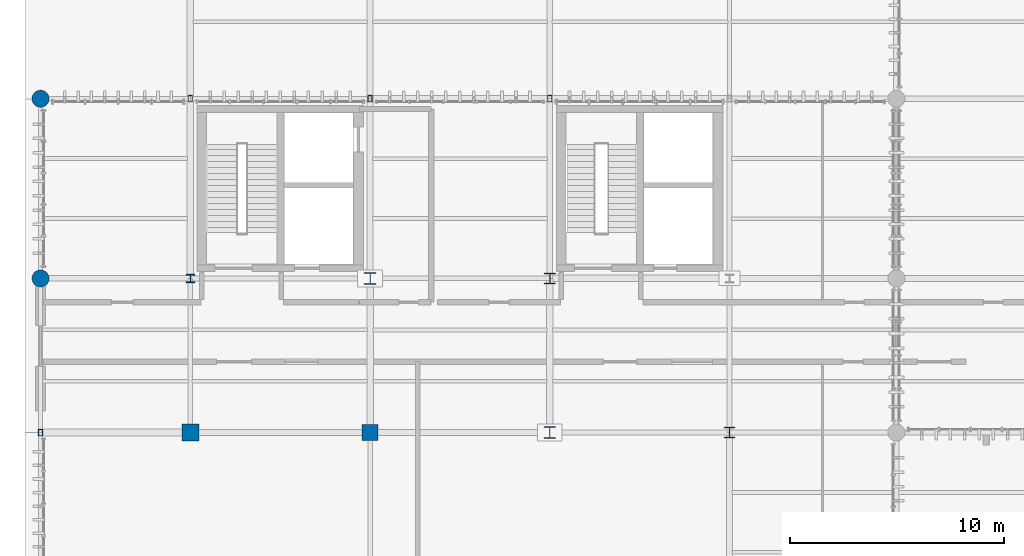
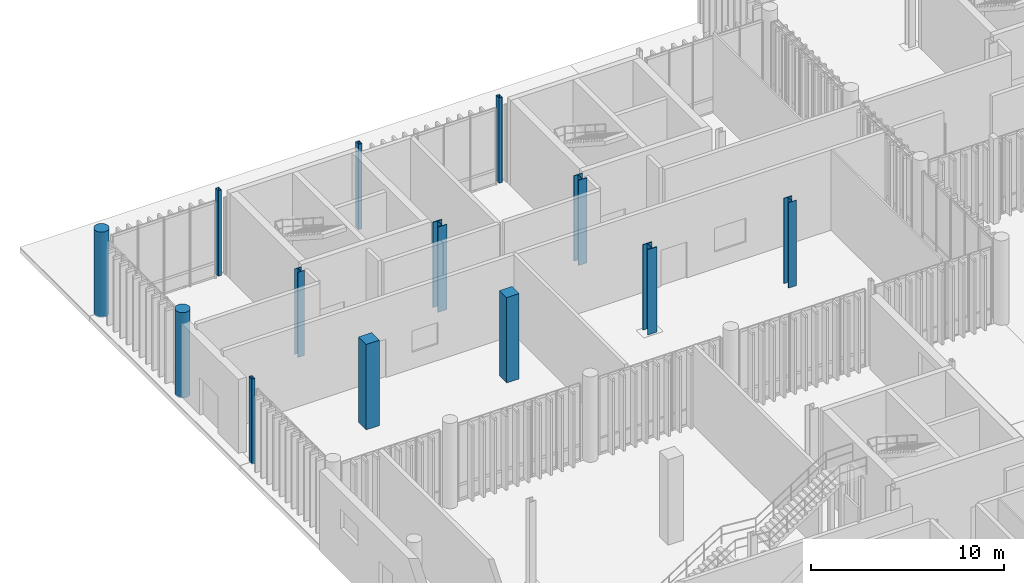
# One storey, part 4 of 112: 13 columns.
"""IFC4 building model written with IfcOpenShell, lengths in metres."""

from ifc_helpers import new_model, si_unit, direction, frame, origin_with_axes, origin_2d_with_axis, place, context, subcontext, project, spatial, rectangle, hollow_rectangle, circle, i_section, extrude, material, material_profile, profile_set, type_object, element, save


model = new_model("IFC4")

# Units and contexts
model_context = context("Model", 3, precision=1e-05, world=origin_with_axes(), true_north=direction((0.0, 1.0)))
body_context = subcontext(model_context, "Body", "Model", "MODEL_VIEW")
ifc_project = project(units=[si_unit("LENGTHUNIT", "METRE"), si_unit("AREAUNIT", "SQUARE_METRE"), si_unit("VOLUMEUNIT", "CUBIC_METRE"), si_unit("PLANEANGLEUNIT", "RADIAN"), si_unit("MASSUNIT", "GRAM", prefix="KILO"), si_unit("THERMODYNAMICTEMPERATUREUNIT", "KELVIN")], contexts=[model_context])

# Site, building, storey
site_placement = place(None, origin_with_axes())
site = spatial("IfcSite", under=ifc_project, at=site_placement, CompositionType="ELEMENT")
building_placement = place(site_placement, origin_with_axes())
building = spatial("IfcBuilding", under=site, at=building_placement, Name="Montbau Bow Law Courts", CompositionType="ELEMENT")
storey_placement = place(building_placement, origin_with_axes())
storey = spatial("IfcBuildingStorey", under=building, at=storey_placement, Name="L00", CompositionType="ELEMENT", Elevation=0.0)

# Columns
ifc_material_1 = material(Name="Steel CSA G40.21 Grade 350WT (350 MPa)", Category="steel")
ifc_material_profile_1 = material_profile(ifc_material_1, hollow_rectangle(XDim=0.203, YDim=0.305, WallThickness=0.0127, InnerFilletRadius=0.0254, OuterFilletRadius=0.0127, at=origin_2d_with_axis()), Name="HSS305X203X13", Category="Main", Priority=0)
ifc_profile_set_1 = profile_set([ifc_material_profile_1], Name="Steel CSA G40.21 Grade 350WT (350 MPa)")
column_type_1 = type_object("IfcColumnType", Name="C-HSS-03", PredefinedType="COLUMN", material=ifc_profile_set_1)
for number, where, z_axis, x_axis, name in (
    (1, (6.8, 39.0, 0.0), (0.0, 0.0, 1.0), (1.0, 0.0, 0.0), "C-L00-S0189:col2_0189"),
    (2, (13.8, 54.6, 0.0), (0.0, 0.0, 1.0), (1.0, 0.0, 0.0), "C-L00-S0198:col2_0198"),
    (3, (22.2, 54.6, 0.0), (0.0, 0.0, 1.0), (1.0, 0.0, 0.0), "C-L00-S0205:col2_0205"),
    (4, (30.6, 54.6, 0.0), (0.0, 0.0, 1.0), (1.0, 0.0, 0.0), "C-L00-S0212:col2_0212"),
):
    element("IfcColumn", number, at=place(None, frame(where, z_axis=z_axis, x_axis=x_axis)), inside=storey, type_object=column_type_1, Name=name, PredefinedType="COLUMN", context=body_context, shape_type="SweptSolid", body=[
        extrude(hollow_rectangle(XDim=0.203, YDim=0.305, WallThickness=0.0127, InnerFilletRadius=0.0254, OuterFilletRadius=0.0127, at=origin_2d_with_axis()), origin_with_axes(), (0.0, 0.0, 1.0), 5.4),
    ])
ifc_material_2 = material(Name="Concrete CSA A23.1 f'c 45 MPa", Category="concrete")
ifc_material_profile_2 = material_profile(ifc_material_2, rectangle(XDim=0.8, YDim=0.8, at=origin_2d_with_axis()), Name="RC800X800", Category="Main", Priority=0)
ifc_profile_set_2 = profile_set([ifc_material_profile_2], Name="Concrete CSA A23.1 f'c 45 MPa")
column_type_2 = type_object("IfcColumnType", Name="C-RC-02", PredefinedType="COLUMN", material=ifc_profile_set_2)
column_1_placement = place(None, frame((13.8, 39.0, 0.0), z_axis=(0.0, 0.0, 1.0), x_axis=(1.0, 0.0, 0.0)))
element("IfcColumn", 5, at=column_1_placement, inside=storey, type_object=column_type_2, Name="C-L00-S0196:col2_0196", PredefinedType="COLUMN", context=body_context, shape_type="SweptSolid", body=[
    extrude(rectangle(XDim=0.8, YDim=0.8, at=origin_2d_with_axis()), origin_with_axes(), (0.0, 0.0, 1.0), 5.4),
])
ifc_material_3 = material(Name="Concrete CSA A23.1 f'c 40 MPa", Category="concrete")
ifc_material_profile_3 = material_profile(ifc_material_3, rectangle(XDim=0.75, YDim=0.75, at=origin_2d_with_axis()), Name="RC750X750", Category="Main", Priority=0)
ifc_profile_set_3 = profile_set([ifc_material_profile_3], Name="Concrete CSA A23.1 f'c 40 MPa")
column_type_3 = type_object("IfcColumnType", Name="C-RC-03", PredefinedType="COLUMN", material=ifc_profile_set_3)
column_2_placement = place(None, frame((22.2, 39.0, 0.0), z_axis=(0.0, 0.0, 1.0), x_axis=(1.0, 0.0, 0.0)))
element("IfcColumn", 6, at=column_2_placement, inside=storey, type_object=column_type_3, Name="C-L00-S0203:col2_0203", PredefinedType="COLUMN", context=body_context, shape_type="SweptSolid", body=[
    extrude(rectangle(XDim=0.75, YDim=0.75, at=origin_2d_with_axis()), origin_with_axes(), (0.0, 0.0, 1.0), 5.4),
])
ifc_material_profile_4 = material_profile(ifc_material_3, circle(Radius=0.4, at=origin_2d_with_axis()), Name="RC800D", Category="Main", Priority=0)
ifc_profile_set_4 = profile_set([ifc_material_profile_4], Name="Concrete CSA A23.1 f'c 40 MPa")
column_type_4 = type_object("IfcColumnType", Name="C-RC-07", PredefinedType="COLUMN", material=ifc_profile_set_4)
for number, where, z_axis, x_axis, name in (
    (7, (6.8, 46.2, 0.0), (0.0, 0.0, 1.0), (1.0, 0.0, 0.0), "C-L00-S0190:col2_0190"),
    (8, (6.8, 54.6, 0.0), (0.0, 0.0, 1.0), (1.0, 0.0, 0.0), "C-L00-S0191:col2_0191"),
):
    element("IfcColumn", number, at=place(None, frame(where, z_axis=z_axis, x_axis=x_axis)), inside=storey, type_object=column_type_4, Name=name, PredefinedType="COLUMN", context=body_context, shape_type="SweptSolid", body=[
        extrude(circle(Radius=0.4, at=origin_2d_with_axis()), origin_with_axes(), (0.0, 0.0, 1.0), 5.4),
    ])
ifc_material_4 = material(Name="Steel CSA G40.21 Grade 350W (350 MPa)", Category="steel")
ifc_material_profile_5 = material_profile(ifc_material_4, i_section(OverallWidth=0.55, OverallDepth=0.55, WebThickness=0.025, FlangeThickness=0.042, at=origin_2d_with_axis()), Name="WWF550X420", Category="Main", Priority=0)
ifc_profile_set_5 = profile_set([ifc_material_profile_5], Name="Steel CSA G40.21 Grade 350W (350 MPa)")
column_type_5 = type_object("IfcColumnType", Name="C-STL-01", PredefinedType="COLUMN", material=ifc_profile_set_5)
for number, where, z_axis, x_axis, name in (
    (9, (22.2, 46.2, 0.0), (0.0, 0.0, 1.0), (1.0, 0.0, 0.0), "C-L00-S0204:col2_0204"),
    (10, (30.6, 39.0, 0.0), (0.0, 0.0, 1.0), (1.0, 0.0, 0.0), "C-L00-S0210:col2_0210"),
):
    element("IfcColumn", number, at=place(None, frame(where, z_axis=z_axis, x_axis=x_axis)), inside=storey, type_object=column_type_5, Name=name, PredefinedType="COLUMN", context=body_context, shape_type="SweptSolid", body=[
        extrude(i_section(OverallWidth=0.55, OverallDepth=0.55, WebThickness=0.025, FlangeThickness=0.042, at=origin_2d_with_axis()), origin_with_axes(), (0.0, 0.0, 1.0), 5.4),
    ])
ifc_material_profile_6 = material_profile(ifc_material_4, i_section(OverallWidth=0.5, OverallDepth=0.5, WebThickness=0.022, FlangeThickness=0.036, at=origin_2d_with_axis()), Name="WWF500X343", Category="Main", Priority=0)
ifc_profile_set_6 = profile_set([ifc_material_profile_6], Name="Steel CSA G40.21 Grade 350W (350 MPa)")
column_type_6 = type_object("IfcColumnType", Name="C-STL-02", PredefinedType="COLUMN", material=ifc_profile_set_6)
for number, where, z_axis, x_axis, name in (
    (11, (30.6, 46.2, 0.0), (0.0, 0.0, 1.0), (1.0, 0.0, 0.0), "C-L00-S0211:col2_0211"),
    (12, (39.0, 39.0, 0.0), (0.0, 0.0, 1.0), (1.0, 0.0, 0.0), "C-L00-S0217:col2_0217"),
):
    element("IfcColumn", number, at=place(None, frame(where, z_axis=z_axis, x_axis=x_axis)), inside=storey, type_object=column_type_6, Name=name, PredefinedType="COLUMN", context=body_context, shape_type="SweptSolid", body=[
        extrude(i_section(OverallWidth=0.5, OverallDepth=0.5, WebThickness=0.022, FlangeThickness=0.036, at=origin_2d_with_axis()), origin_with_axes(), (0.0, 0.0, 1.0), 5.4),
    ])
ifc_material_profile_7 = material_profile(ifc_material_4, i_section(OverallWidth=0.395, OverallDepth=0.38, WebThickness=0.0189, FlangeThickness=0.0302, at=origin_2d_with_axis()), Name="W360X237", Category="Main", Priority=0)
ifc_profile_set_7 = profile_set([ifc_material_profile_7], Name="Steel CSA G40.21 Grade 350W (350 MPa)")
column_type_7 = type_object("IfcColumnType", Name="C-STL-03", PredefinedType="COLUMN", material=ifc_profile_set_7)
column_3_placement = place(None, frame((13.8, 46.2, 0.0), z_axis=(0.0, 0.0, 1.0), x_axis=(1.0, 0.0, 0.0)))
element("IfcColumn", 13, at=column_3_placement, inside=storey, type_object=column_type_7, Name="C-L00-S0197:col2_0197", PredefinedType="COLUMN", context=body_context, shape_type="SweptSolid", body=[
    extrude(i_section(OverallWidth=0.395, OverallDepth=0.38, WebThickness=0.0189, FlangeThickness=0.0302, at=origin_2d_with_axis()), origin_with_axes(), (0.0, 0.0, 1.0), 5.4),
])

save(model, "model.ifc")
